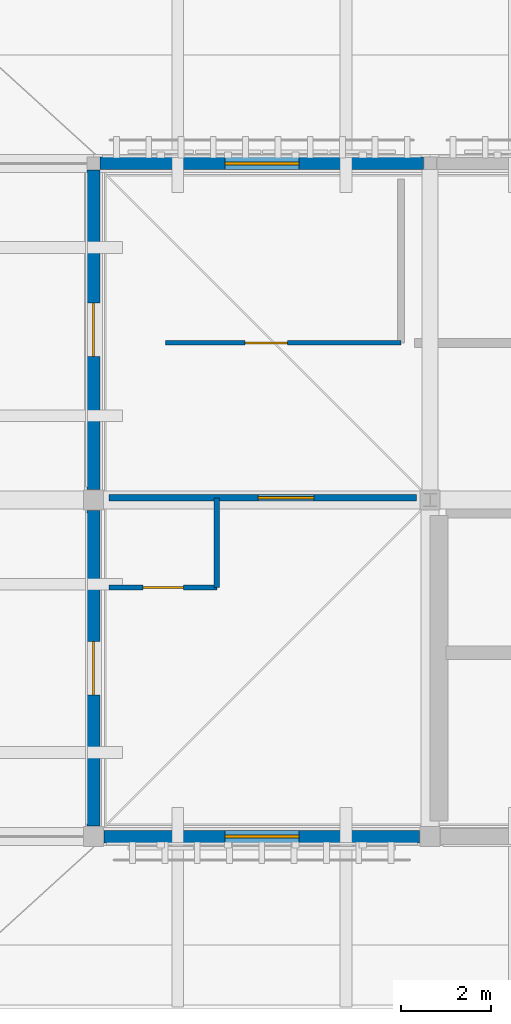
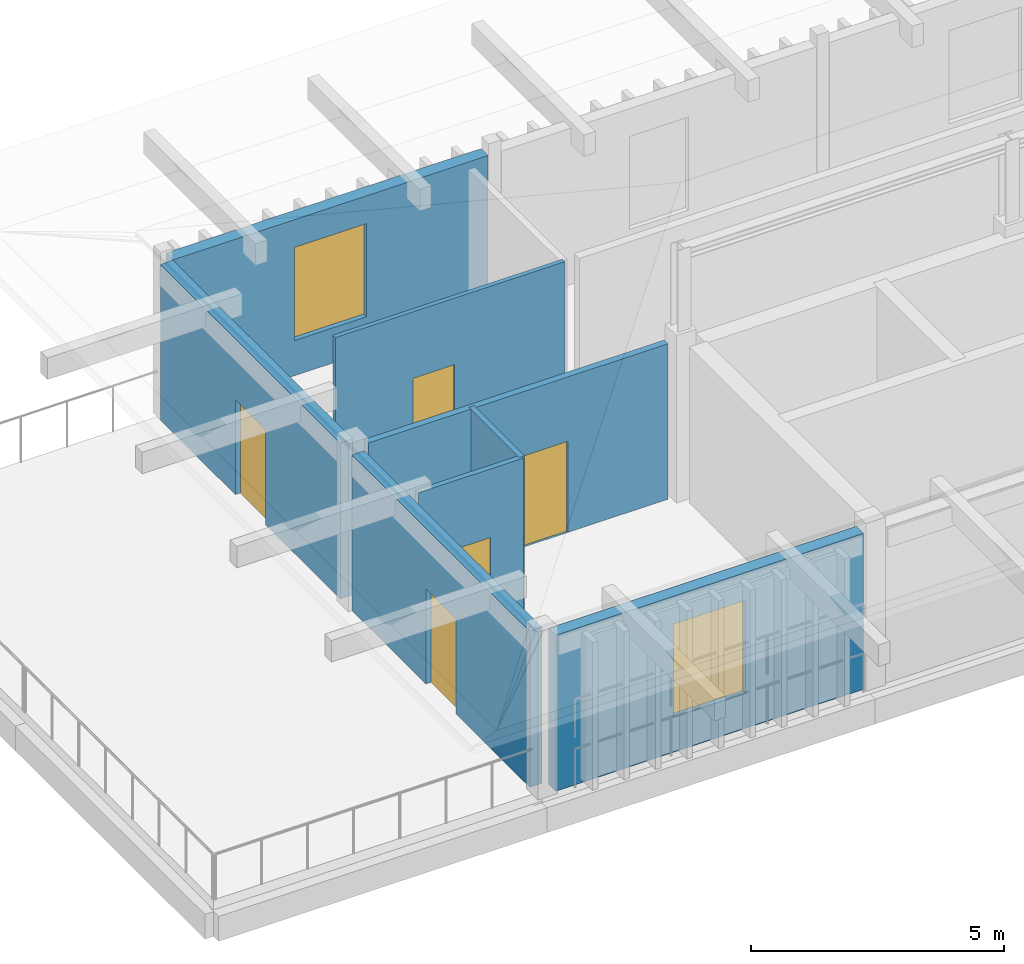
# One storey, part 14 of 33: 8 walls, 5 doors, 2 windows, 7 openings.
"""IFC4 building model written with IfcOpenShell, lengths in metres."""

from ifc_helpers import new_model, si_unit, direction, frame, frame_2d, origin, place, context, subcontext, project, spatial, rectangle, extrude, material, layer, layer_set, type_object, element, fill, save


model = new_model("IFC4")

# Units and contexts
model_context = context("Model", 3, precision=1e-05, world=origin(), true_north=direction((0.0, 1.0)))
body_context = subcontext(model_context, "Body", "Model", "MODEL_VIEW")
ifc_project = project(units=[si_unit("LENGTHUNIT", "METRE"), si_unit("AREAUNIT", "SQUARE_METRE"), si_unit("VOLUMEUNIT", "CUBIC_METRE"), si_unit("PLANEANGLEUNIT", "RADIAN"), si_unit("MASSUNIT", "GRAM", prefix="KILO")], contexts=[model_context])

# Site, building, storey
site_placement = place(None, origin())
site = spatial("IfcSite", under=ifc_project, at=site_placement, CompositionType="ELEMENT")
building_placement = place(site_placement, origin())
building = spatial("IfcBuilding", under=site, at=building_placement, Name="Dalvernix Boulevard General Hospital", CompositionType="ELEMENT")
storey_placement = place(building_placement, frame((0.0, 0.0, 21.89990234375)))
storey = spatial("IfcBuildingStorey", under=building, at=storey_placement, Name="L05", CompositionType="ELEMENT", Elevation=21.89990234375)

# Wall, opening, window
ifc_material_1 = material(Name="Screened upper-ward insulated masonry cavity wall C35/45", Category="masonry")
ifc_layer_1 = layer(ifc_material_1, 0.280029296875)
ifc_layer_set_1 = layer_set([ifc_layer_1], Name="Screened upper-ward insulated masonry cavity wall C35/45 (WAL-EW-03)")
wall_type_1 = type_object("IfcWallType", Name="WAL-EW-03", PredefinedType="STANDARD", material=ifc_layer_set_1)
wall_1_placement = place(storey_placement, frame((127.264892578125, 7.5, 0.0), z_axis=(0.0, 0.0, 1.0), x_axis=(-1.0, 0.0, 0.0)))
wall_1 = element("IfcWall", 1, at=wall_1_placement, inside=storey, type_object=wall_type_1, Name="L05 Catalan brick external wall S 16-1", PredefinedType="STANDARD", context=body_context, shape_type="SweptSolid", body=[
    extrude(rectangle(XDim=7.02978515625, YDim=0.280029296875, at=frame_2d((3.514892578125, 0.0))), origin(), (0.0, 0.0, 1.0), 3.77001953125),
])
opening_1_placement = place(wall_1_placement, frame((2.68994140625, 0.0, 0.85009765625)))
opening_1 = element("IfcOpeningElement", 2, at=opening_1_placement, cuts=wall_1, Name="Opening WN-20", PredefinedType="OPENING", context=body_context, shape_type="SweptSolid", body=[
    extrude(rectangle(XDim=1.64990234375, YDim=2.25, at=frame_2d((0.824951171875, 1.125))), frame((0.0, 0.14990234375, 0.0), z_axis=(0.0, -1.0, 0.0), x_axis=(1.0, 0.0, 0.0)), (0.0, 0.0, 1.0), 0.300048828125),
])
ifc_material_2 = material(Name="Thermally broken aluminium frame with solar-control double glazing", Category="aluminium")
window_type = type_object("IfcWindowType", Name="WIN-WN-20", PartitioningType="SINGLE_PANEL", PredefinedType="WINDOW", material=ifc_material_2)
window_1_placement = place(opening_1_placement, origin())
window_1 = element("IfcWindow", 3, at=window_1_placement, inside=storey, type_object=window_type, Name="L05 clinical window WN-20 S 16-1", OverallHeight=2.25, OverallWidth=1.64990234375, PartitioningType="SINGLE_PANEL", PredefinedType="WINDOW", context=body_context, shape_type="SweptSolid", body=[
    extrude(rectangle(XDim=1.64990234375, YDim=2.25, at=frame_2d((0.824951171875, 1.125))), frame((0.0, 0.030029296875, 0.0), z_axis=(0.0, -1.0, 0.0), x_axis=(1.0, 0.0, 0.0)), (0.0, 0.0, 1.0), 0.06005859375),
])
fill(opening_1, window_1)

# Wall, opening, door
wall_2_placement = place(storey_placement, frame((120.0, 7.735107421875, 0.0), z_axis=(0.0, 0.0, 1.0), x_axis=(0.0, 1.0, 0.0)))
wall_2 = element("IfcWall", 4, at=wall_2_placement, inside=storey, type_object=wall_type_1, Name="L05 Catalan brick external wall W 16-1", PredefinedType="STANDARD", context=body_context, shape_type="SweptSolid", body=[
    extrude(rectangle(XDim=7.02978515625, YDim=0.280029296875, at=frame_2d((3.514892578125, 0.0))), origin(), (0.0, 0.0, 1.0), 3.77001953125),
])
opening_2_placement = place(wall_2_placement, frame((2.9150390625, 0.0, 0.0)))
opening_2 = element("IfcOpeningElement", 5, at=opening_2_placement, cuts=wall_2, Name="Opening TD-12", PredefinedType="OPENING", context=body_context, shape_type="SweptSolid", body=[
    extrude(rectangle(XDim=1.199951171875, YDim=2.300048828125, at=frame_2d((0.60009765625, 1.14990234375))), frame((0.0, 0.14990234375, 0.0), z_axis=(0.0, -1.0, 0.0), x_axis=(1.0, 0.0, 0.0)), (0.0, 0.0, 1.0), 0.300048828125),
])
ifc_material_3 = material(Name="Powder-coated aluminium and laminated safety glass", Category="aluminium")
door_type_1 = type_object("IfcDoorType", Name="DR-TD-12", OperationType="NOTDEFINED", PredefinedType="DOOR", material=ifc_material_3)
door_1_placement = place(opening_2_placement, origin())
door_1 = element("IfcDoor", 6, at=door_1_placement, inside=storey, type_object=door_type_1, Name="L05 ward terrace access door W 16-1", OperationType="SINGLE_SWING_LEFT", OverallHeight=2.300048828125, OverallWidth=1.199951171875, PredefinedType="DOOR", context=body_context, shape_type="SweptSolid", body=[
    extrude(rectangle(XDim=1.199951171875, YDim=2.300048828125, at=frame_2d((0.60009765625, 1.14990234375))), frame((0.0, 0.02490234375, 0.0), z_axis=(0.0, -1.0, 0.0), x_axis=(1.0, 0.0, 0.0)), (0.0, 0.0, 1.0), 0.050048828125),
])
fill(opening_2, door_1)

# Wall, opening, window
wall_3_placement = place(storey_placement, frame((120.14990234375, 22.5, 0.0), z_axis=(0.0, 0.0, 1.0), x_axis=(1.0, 0.0, 0.0)))
wall_3 = element("IfcWall", 7, at=wall_3_placement, inside=storey, type_object=wall_type_1, Name="L05 Catalan brick external wall N 16-3", PredefinedType="STANDARD", context=body_context, shape_type="SweptSolid", body=[
    extrude(rectangle(XDim=7.2001953125, YDim=0.280029296875, at=frame_2d((3.60009765625, 0.0))), origin(), (0.0, 0.0, 1.0), 3.77001953125),
])
opening_3_placement = place(wall_3_placement, frame((2.77490234375, 0.0, 0.85009765625)))
opening_3 = element("IfcOpeningElement", 8, at=opening_3_placement, cuts=wall_3, Name="Opening WN-20", PredefinedType="OPENING", context=body_context, shape_type="SweptSolid", body=[
    extrude(rectangle(XDim=1.64990234375, YDim=2.25, at=frame_2d((0.824951171875, 1.125))), frame((0.0, 0.14990234375, 0.0), z_axis=(0.0, -1.0, 0.0), x_axis=(1.0, 0.0, 0.0)), (0.0, 0.0, 1.0), 0.300048828125),
])
window_2_placement = place(opening_3_placement, origin())
window_2 = element("IfcWindow", 9, at=window_2_placement, inside=storey, type_object=window_type, Name="L05 clinical window WN-20 N 16-3", OverallHeight=2.25, OverallWidth=1.64990234375, PartitioningType="SINGLE_PANEL", PredefinedType="WINDOW", context=body_context, shape_type="SweptSolid", body=[
    extrude(rectangle(XDim=1.64990234375, YDim=2.25, at=frame_2d((0.824951171875, 1.125))), frame((0.0, 0.030029296875, 0.0), z_axis=(0.0, -1.0, 0.0), x_axis=(1.0, 0.0, 0.0)), (0.0, 0.0, 1.0), 0.06005859375),
])
fill(opening_3, window_2)

# Wall, opening, door
wall_4_placement = place(storey_placement, frame((120.0, 15.235107421875, 0.0), z_axis=(0.0, 0.0, 1.0), x_axis=(0.0, 1.0, 0.0)))
wall_4 = element("IfcWall", 10, at=wall_4_placement, inside=storey, type_object=wall_type_1, Name="L05 Catalan brick external wall W 16-2", PredefinedType="STANDARD", context=body_context, shape_type="SweptSolid", body=[
    extrude(rectangle(XDim=7.114990234375, YDim=0.280029296875, at=frame_2d((3.5576171875, 0.0))), origin(), (0.0, 0.0, 1.0), 3.77001953125),
])
opening_4_placement = place(wall_4_placement, frame((2.95751953125, 0.0, 0.0)))
opening_4 = element("IfcOpeningElement", 11, at=opening_4_placement, cuts=wall_4, Name="Opening TD-12", PredefinedType="OPENING", context=body_context, shape_type="SweptSolid", body=[
    extrude(rectangle(XDim=1.199951171875, YDim=2.300048828125, at=frame_2d((0.60009765625, 1.14990234375))), frame((0.0, 0.14990234375, 0.0), z_axis=(0.0, -1.0, 0.0), x_axis=(1.0, 0.0, 0.0)), (0.0, 0.0, 1.0), 0.300048828125),
])
door_2_placement = place(opening_4_placement, origin())
door_2 = element("IfcDoor", 12, at=door_2_placement, inside=storey, type_object=door_type_1, Name="L05 ward terrace access door W 16-2", OperationType="SINGLE_SWING_LEFT", OverallHeight=2.300048828125, OverallWidth=1.199951171875, PredefinedType="DOOR", context=body_context, shape_type="SweptSolid", body=[
    extrude(rectangle(XDim=1.199951171875, YDim=2.300048828125, at=frame_2d((0.60009765625, 1.14990234375))), frame((0.0, 0.02490234375, 0.0), z_axis=(0.0, -1.0, 0.0), x_axis=(1.0, 0.0, 0.0)), (0.0, 0.0, 1.0), 0.050048828125),
])
fill(opening_4, door_2)

ifc_material_4 = material(Name="Acoustic double-stud gypsum inpatient partition")
ifc_layer_2 = layer(ifc_material_4, 0.14990234375)
ifc_layer_set_2 = layer_set([ifc_layer_2], Name="Acoustic double-stud gypsum inpatient partition (WAL-IW-04)")
wall_type_2 = type_object("IfcWallType", Name="WAL-IW-04", PredefinedType="PARTITIONING", material=ifc_layer_set_2)
wall_5_placement = place(storey_placement, frame((127.199951171875, 15.050048828125, 0.0), z_axis=(0.0, 0.0, 1.0), x_axis=(-1.0, 0.0, 0.0)))
wall_5 = element("IfcWall", 13, at=wall_5_placement, inside=storey, type_object=wall_type_2, Name="L05 Paediatric Patient Room L05-01 corridor wall", PredefinedType="PARTITIONING", context=body_context, shape_type="SweptSolid", body=[
    extrude(rectangle(XDim=6.849853515625, YDim=0.14990234375, at=frame_2d((3.4248046875, 0.0))), origin(), (0.0, 0.0, 1.0), 3.755126953125),
])
opening_5_placement = place(wall_5_placement, frame((2.2900390625, 0.0, 0.0)))
opening_5 = element("IfcOpeningElement", 14, at=opening_5_placement, cuts=wall_5, Name="Opening ID-04", PredefinedType="OPENING", context=body_context, shape_type="SweptSolid", body=[
    extrude(rectangle(XDim=1.25, YDim=2.199951171875, at=frame_2d((0.625, 1.10009765625))), frame((0.0, 0.0849609375, 0.0), z_axis=(0.0, -1.0, 0.0), x_axis=(1.0, 0.0, 0.0)), (0.0, 0.0, 1.0), 0.169921875),
])
ifc_material_5 = material(Name="Hospital laminate acoustic timber and steel frame", Category="steel")
door_type_2 = type_object("IfcDoorType", Name="DR-ID-04", OperationType="NOTDEFINED", PredefinedType="DOOR", material=ifc_material_5)
door_3_placement = place(opening_5_placement, origin())
door_3 = element("IfcDoor", 15, at=door_3_placement, inside=storey, type_object=door_type_2, Name="L05 Paediatric Patient Room L05-01 door", OperationType="SINGLE_SWING_RIGHT", OverallHeight=2.199951171875, OverallWidth=1.25, PredefinedType="DOOR", context=body_context, shape_type="SweptSolid", body=[
    extrude(rectangle(XDim=1.25, YDim=2.199951171875, at=frame_2d((0.625, 1.10009765625))), frame((0.0, 0.02490234375, 0.0), z_axis=(0.0, -1.0, 0.0), x_axis=(1.0, 0.0, 0.0)), (0.0, 0.0, 1.0), 0.050048828125),
])
fill(opening_5, door_3)

ifc_material_6 = material(Name="Moisture-resistant en-suite bathroom partition")
ifc_layer_3 = layer(ifc_material_6, 0.1201171875)
ifc_layer_set_3 = layer_set([ifc_layer_3], Name="Moisture-resistant en-suite bathroom partition (WAL-IW-05)")
wall_type_3 = type_object("IfcWallType", Name="WAL-IW-05", PredefinedType="PARTITIONING", material=ifc_layer_set_3)
wall_6_placement = place(storey_placement, frame((120.35009765625, 13.050048828125, 0.0), z_axis=(0.0, 0.0, 1.0), x_axis=(1.0, 0.0, 0.0)))
wall_6 = element("IfcWall", 16, at=wall_6_placement, inside=storey, type_object=wall_type_3, Name="L05 en-suite bathroom door wall", PredefinedType="PARTITIONING", context=body_context, shape_type="SweptSolid", body=[
    extrude(rectangle(XDim=2.39990234375, YDim=0.1201171875, at=frame_2d((1.199951171875, 0.0))), origin(), (0.0, 0.0, 1.0), 3.755126953125),
])
opening_6_placement = place(wall_6_placement, frame((0.75, 0.0, 0.0)))
opening_6 = element("IfcOpeningElement", 17, at=opening_6_placement, cuts=wall_6, Name="Opening ID-05", PredefinedType="OPENING", context=body_context, shape_type="SweptSolid", body=[
    extrude(rectangle(XDim=0.89990234375, YDim=2.10009765625, at=frame_2d((0.449951171875, 1.050048828125))), frame((0.0, 0.070068359375, 0.0), z_axis=(0.0, -1.0, 0.0), x_axis=(1.0, 0.0, 0.0)), (0.0, 0.0, 1.0), 0.14013671875),
])
door_type_3 = type_object("IfcDoorType", Name="DR-ID-05", OperationType="NOTDEFINED", PredefinedType="DOOR", material=ifc_material_5)
door_4_placement = place(opening_6_placement, origin())
door_4 = element("IfcDoor", 18, at=door_4_placement, inside=storey, type_object=door_type_3, Name="L05 L05-V5-W1 en-suite bathroom door", OperationType="SINGLE_SWING_LEFT", OverallHeight=2.10009765625, OverallWidth=0.89990234375, PredefinedType="DOOR", context=body_context, shape_type="SweptSolid", body=[
    extrude(rectangle(XDim=0.89990234375, YDim=2.10009765625, at=frame_2d((0.449951171875, 1.050048828125))), frame((0.0, 0.02490234375, 0.0), z_axis=(0.0, -1.0, 0.0), x_axis=(1.0, 0.0, 0.0)), (0.0, 0.0, 1.0), 0.050048828125),
])
fill(opening_6, door_4)

# Wall
wall_7_placement = place(storey_placement, frame((122.75, 13.050048828125, 0.0), z_axis=(0.0, 0.0, 1.0), x_axis=(0.0, 1.0, 0.0)))
element("IfcWall", 19, at=wall_7_placement, inside=storey, type_object=wall_type_3, Name="L05 en-suite bathroom side wall", PredefinedType="PARTITIONING", context=body_context, shape_type="SweptSolid", body=[
    extrude(rectangle(XDim=2.0, YDim=0.1201171875, at=frame_2d((1.0, 0.0))), origin(), (0.0, 0.0, 1.0), 3.755126953125),
])

# Wall, opening, door
ifc_material_7 = material(Name="Fire-resisting clinical sub-partition")
ifc_layer_4 = layer(ifc_material_7, 0.10009765625)
ifc_layer_set_4 = layer_set([ifc_layer_4], Name="Fire-resisting clinical sub-partition (WAL-IW-06)")
wall_type_4 = type_object("IfcWallType", Name="WAL-IW-06", PredefinedType="PARTITIONING", material=ifc_layer_set_4)
wall_8_placement = place(storey_placement, frame((121.60009765625, 18.5, 0.0), z_axis=(0.0, 0.0, 1.0), x_axis=(1.0, 0.0, 0.0)))
wall_8 = element("IfcWall", 20, at=wall_8_placement, inside=storey, type_object=wall_type_4, Name="L05 Accessible WC L05 South-East corridor wall", PredefinedType="PARTITIONING", context=body_context, shape_type="SweptSolid", body=[
    extrude(rectangle(XDim=5.25, YDim=0.10009765625, at=frame_2d((2.625, 0.0))), origin(), (0.0, 0.0, 1.0), 3.755126953125),
])
opening_7_placement = place(wall_8_placement, frame((1.77001953125, 0.0, 0.0)))
opening_7 = element("IfcOpeningElement", 21, at=opening_7_placement, cuts=wall_8, Name="Opening ID-06", PredefinedType="OPENING", context=body_context, shape_type="SweptSolid", body=[
    extrude(rectangle(XDim=0.949951171875, YDim=2.14990234375, at=frame_2d((0.47509765625, 1.074951171875))), frame((0.0, 0.06005859375, 0.0), z_axis=(0.0, -1.0, 0.0), x_axis=(1.0, 0.0, 0.0)), (0.0, 0.0, 1.0), 0.1201171875),
])
door_type_4 = type_object("IfcDoorType", Name="DR-ID-06", OperationType="NOTDEFINED", PredefinedType="DOOR", material=ifc_material_5)
door_5_placement = place(opening_7_placement, origin())
door_5 = element("IfcDoor", 22, at=door_5_placement, inside=storey, type_object=door_type_4, Name="L05 Accessible WC L05 South-East door", OperationType="SINGLE_SWING_RIGHT", OverallHeight=2.14990234375, OverallWidth=0.949951171875, PredefinedType="DOOR", context=body_context, shape_type="SweptSolid", body=[
    extrude(rectangle(XDim=0.949951171875, YDim=2.14990234375, at=frame_2d((0.47509765625, 1.074951171875))), frame((0.0, 0.02490234375, 0.0), z_axis=(0.0, -1.0, 0.0), x_axis=(1.0, 0.0, 0.0)), (0.0, 0.0, 1.0), 0.050048828125),
])
fill(opening_7, door_5)

save(model, "model.ifc")
